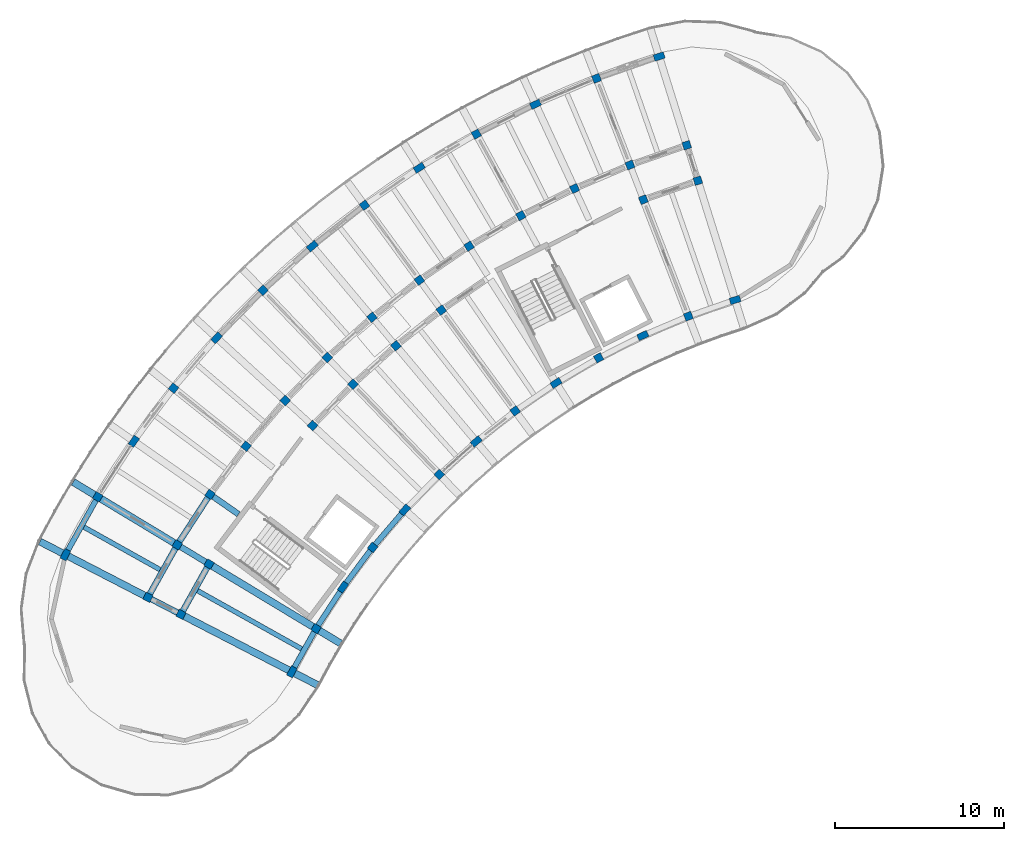
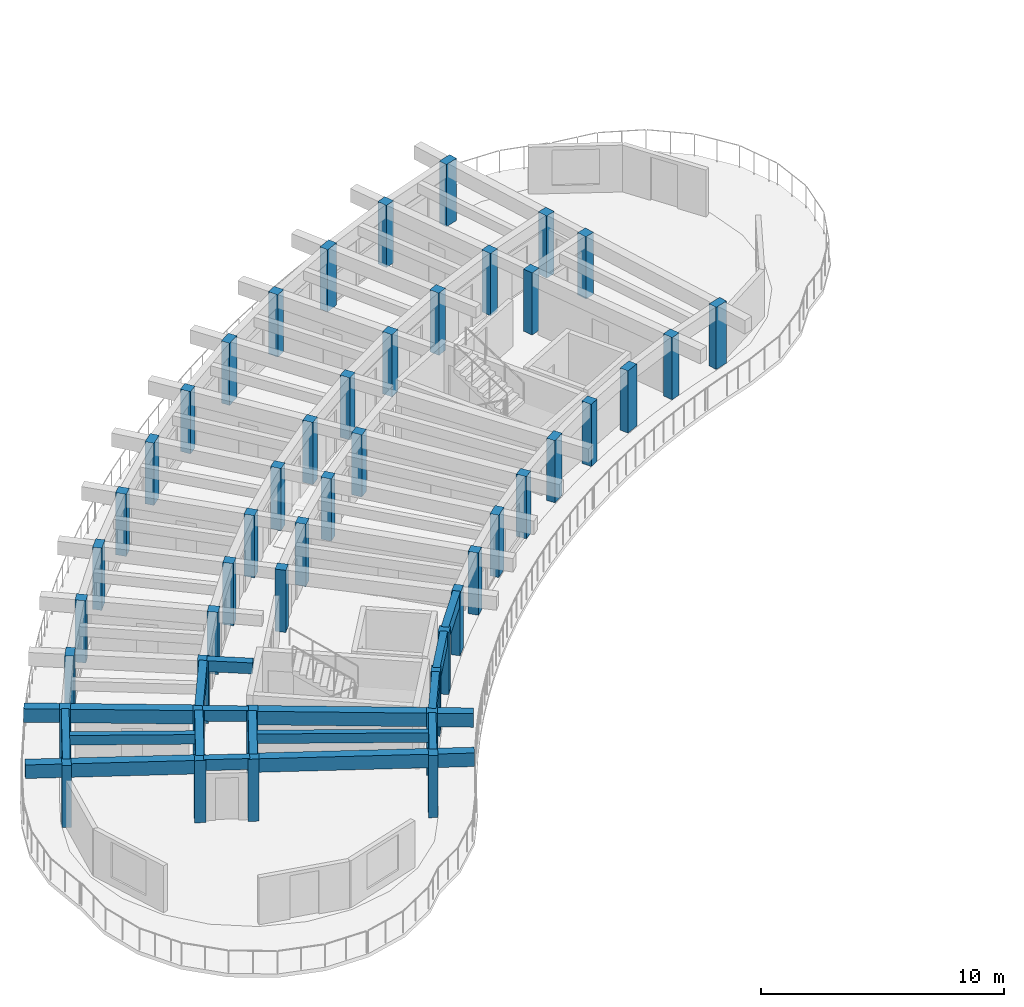
# One storey, part 1 of 19: 47 columns, 17 beams.
"""IFC4 building model written with IfcOpenShell, lengths in metres."""

from ifc_helpers import new_model, si_unit, direction, frame, origin, origin_2d, place, context, subcontext, project, spatial, rectangle, extrude, material, material_profile, profile_set, type_object, element, save


model = new_model("IFC4")

# Units and contexts
model_context = context("Model", 3, precision=1e-05, world=origin(), true_north=direction((0.0, 1.0)))
body_context = subcontext(model_context, "Body", "Model", "MODEL_VIEW")
ifc_project = project(units=[si_unit("LENGTHUNIT", "METRE"), si_unit("AREAUNIT", "SQUARE_METRE"), si_unit("VOLUMEUNIT", "CUBIC_METRE"), si_unit("PLANEANGLEUNIT", "RADIAN"), si_unit("MASSUNIT", "GRAM", prefix="KILO")], contexts=[model_context])

# Site, building, storey
site_placement = place(None, origin())
site = spatial("IfcSite", under=ifc_project, at=site_placement, CompositionType="ELEMENT")
building_placement = place(site_placement, origin())
building = spatial("IfcBuilding", under=site, at=building_placement, Name="Tanwirah Colonnade Gardens", CompositionType="ELEMENT")
storey_placement = place(building_placement, frame((0.0, 0.0, 45.800048828125)))
storey = spatial("IfcBuildingStorey", under=building, at=storey_placement, Name="L13", CompositionType="ELEMENT", Elevation=45.800048828125)

# Columns
ifc_material_1 = material(Name="Precast concrete C40/50", Category="concrete")
ifc_material_profile_1 = material_profile(ifc_material_1, rectangle(XDim=0.4599609375, YDim=0.4599609375, at=origin_2d()), Name="PC-COL 460x460")
ifc_profile_set_1 = profile_set([ifc_material_profile_1], Name="Precast concrete C40/50")
column_type_1 = type_object("IfcColumnType", Name="C-PC400", PredefinedType="COLUMN", material=ifc_profile_set_1)
for number, where, z_axis, x_axis, name in (
    (1, (49.55224609375, 109.6953125, 0.0), (0.0, 0.0, 1.0), (-0.297930292146, 0.954587628781, 0.0), "Block A L13 Column 3-R1"),
    (2, (48.89697265625, 111.79541015625, 0.0), (0.0, 0.0, 1.0), (-0.297930292146, 0.954587628781, 0.0), "Block A L13 Column 3-R2"),
    (3, (48.989990234375, 101.666748046875, 0.0), (0.0, 0.0, 1.0), (-0.360177739278, 0.932883699144, 0.0), "Block A L13 Column 4-R0"),
    (4, (46.32470703125, 108.570068359375, 0.0), (0.0, 0.0, 1.0), (-0.360177739278, 0.932883699144, 0.0), "Block A L13 Column 4-R1"),
    (5, (45.532470703125, 110.622314453125, 0.0), (0.0, 0.0, 1.0), (-0.360177739278, 0.932883699144, 0.0), "Block A L13 Column 4-R2"),
    (6, (43.551513671875, 115.753173828125, 0.0), (0.0, 0.0, 1.0), (-0.360177739278, 0.932883699144, 0.0), "Block A L13 Column 4-R3"),
    (7, (42.25244140625, 109.230224609375, 0.0), (0.0, 0.0, 1.0), (-0.420859924104, 0.907125638643, 0.0), "Block A L13 Column 5-R2"),
    (8, (43.6767578125, 99.20166015625, 0.0), (0.0, 0.0, 1.0), (-0.479713133669, 0.877425386791, 0.0), "Block A L13 Column 6-R0"),
    (9, (39.071533203125, 107.624755859375, 0.0), (0.0, 0.0, 1.0), (-0.479713133669, 0.877425386791, 0.0), "Block A L13 Column 6-R2"),
    (10, (36.43310546875, 112.45068359375, 0.0), (0.0, 0.0, 1.0), (-0.479713133669, 0.877425386791, 0.0), "Block A L13 Column 6-R3"),
    (11, (36.003173828125, 105.8134765625, 0.0), (0.0, 0.0, 1.0), (-0.536481603385, 0.843912015099, 0.0), "Block A L13 Column 7-R2"),
    (12, (38.733642578125, 96.05908203125, 0.0), (0.0, 0.0, 1.0), (-0.590918628541, 0.806731166153, 0.0), "Block A L13 Column 8-R0"),
    (13, (34.36083984375, 102.029052734375, 0.0), (0.0, 0.0, 1.0), (-0.590918628541, 0.806731166153, 0.0), "Block A L13 Column 8-R1"),
    (14, (33.060791015625, 103.8037109375, 0.0), (0.0, 0.0, 1.0), (-0.590918628541, 0.806731166153, 0.0), "Block A L13 Column 8-R2"),
    (15, (29.810791015625, 108.24072265625, 0.0), (0.0, 0.0, 1.0), (-0.590918628541, 0.806731166153, 0.0), "Block A L13 Column 8-R3"),
    (16, (31.67138671875, 99.91943359375, 0.0), (0.0, 0.0, 1.0), (-0.642787636427, 0.766044420681, 0.0), "Block A L13 Column 9-R1"),
    (17, (30.25732421875, 101.604736328125, 0.0), (0.0, 0.0, 1.0), (-0.642787636427, 0.766044420681, 0.0), "Block A L13 Column 9-R2"),
    (18, (34.24658203125, 92.294189453125, 0.0), (0.0, 0.0, 1.0), (-0.691863214436, 0.722028595355, 0.0), "Block A L13 Column 10-R0"),
    (19, (29.126953125, 97.63720703125, 0.0), (0.0, 0.0, 1.0), (-0.691863214436, 0.722028595355, 0.0), "Block A L13 Column 10-R1"),
    (20, (27.604736328125, 99.2255859375, 0.0), (0.0, 0.0, 1.0), (-0.691863214436, 0.722028595355, 0.0), "Block A L13 Column 10-R2"),
    (21, (23.799560546875, 103.19677734375, 0.0), (0.0, 0.0, 1.0), (-0.691863214436, 0.722028595355, 0.0), "Block A L13 Column 10-R3"),
    (22, (26.73828125, 95.1923828125, 0.0), (0.0, 0.0, 1.0), (-0.737932089665, 0.674874974378, 0.0), "Block A L13 Column 11-R1"),
    (23, (25.11474609375, 96.677001953125, 0.0), (0.0, 0.0, 1.0), (-0.737932089665, 0.674874974378, 0.0), "Block A L13 Column 11-R2"),
    (24, (30.293701171875, 87.971923828125, 0.0), (0.0, 0.0, 1.0), (-0.780794055756, 0.624788478204, 0.0), "Block A L13 Column 12-R0"),
    (25, (22.798095703125, 93.9697265625, 0.0), (0.0, 0.0, 1.0), (-0.780794055756, 0.624788478204, 0.0), "Block A L13 Column 12-R2"),
    (26, (18.503662109375, 97.40625, 0.0), (0.0, 0.0, 1.0), (-0.780794055756, 0.624788478204, 0.0), "Block A L13 Column 12-R3"),
    (27, (20.664794921875, 91.115966796875, 0.0), (0.0, 0.0, 1.0), (-0.82026284295, 0.57198677299, 0.0), "Block A L13 Column 13-R2"),
    (28, (26.943359375, 83.167236328125, 0.0), (0.0, 0.0, 1.0), (-0.856166927587, 0.516699324663, 0.0), "Block A L13 Column 14-R0"),
    (29, (20.607666015625, 86.990966796875, 0.0), (0.0, 0.0, 1.0), (-0.856166927587, 0.516699324663, 0.0), "Block A L13 Column 14-R1"),
    (30, (18.72412109375, 88.127685546875, 0.0), (0.0, 0.0, 1.0), (-0.856166927587, 0.516699324663, 0.0), "Block A L13 Column 14-R2"),
    (31, (14.015380859375, 90.969482421875, 0.0), (0.0, 0.0, 1.0), (-0.856166927587, 0.516699324663, 0.0), "Block A L13 Column 14-R3"),
    (32, (18.93896484375, 84.0078125, 0.0), (0.0, 0.0, 1.0), (-0.888350277506, 0.459166401705, 0.0), "Block A L13 Column 15-R1"),
    (33, (16.984619140625, 85.017822265625, 0.0), (0.0, 0.0, 1.0), (-0.888350277506, 0.459166401705, 0.0), "Block A L13 Column 15-R2"),
):
    element("IfcColumn", number, at=place(storey_placement, frame(where, z_axis=z_axis, x_axis=x_axis)), inside=storey, type_object=column_type_1, Name=name, PredefinedType="COLUMN", context=body_context, shape_type="SweptSolid", body=[
        extrude(rectangle(XDim=0.4599609375, YDim=0.4599609375, at=origin_2d()), origin(), (0.0, 0.0, 1.0), 3.119873046875),
    ])
ifc_material_profile_2 = material_profile(ifc_material_1, rectangle(XDim=0.389892578125, YDim=0.6298828125, at=origin_2d()), Name="PC-PIL 390x630")
ifc_profile_set_2 = profile_set([ifc_material_profile_2], Name="Precast concrete C40/50")
column_type_2 = type_object("IfcColumnType", Name="PIL-360", PredefinedType="PILASTER", material=ifc_profile_set_2)
for number, where, z_axis, x_axis, name in (
    (34, (51.757080078125, 102.63134765625, 0.0), (0.0, 0.0, 1.0), (-0.297930292146, 0.954587628781, 0.0), "Block A L13 Column 3-R0"),
    (35, (47.25830078125, 117.045654296875, 0.0), (0.0, 0.0, 1.0), (-0.297930292146, 0.954587628781, 0.0), "Block A L13 Column 3-R3"),
    (36, (46.292724609375, 100.521728515625, 0.0), (0.0, 0.0, 1.0), (-0.420859924104, 0.907125638643, 0.0), "Block A L13 Column 5-R0"),
    (37, (39.937744140625, 114.21923828125, 0.0), (0.0, 0.0, 1.0), (-0.420859924104, 0.907125638643, 0.0), "Block A L13 Column 5-R3"),
    (38, (41.1533203125, 97.7119140625, 0.0), (0.0, 0.0, 1.0), (-0.536481603385, 0.843912015099, 0.0), "Block A L13 Column 7-R0"),
    (39, (33.052490234375, 110.455078125, 0.0), (0.0, 0.0, 1.0), (-0.536481603385, 0.843912015099, 0.0), "Block A L13 Column 7-R3"),
    (40, (36.427978515625, 94.250732421875, 0.0), (0.0, 0.0, 1.0), (-0.642787636427, 0.766044420681, 0.0), "Block A L13 Column 9-R0"),
    (41, (26.721923828125, 105.81787109375, 0.0), (0.0, 0.0, 1.0), (-0.642787636427, 0.766044420681, 0.0), "Block A L13 Column 9-R3"),
    (42, (32.198974609375, 90.1982421875, 0.0), (0.0, 0.0, 1.0), (-0.737932089665, 0.674874974378, 0.0), "Block A L13 Column 11-R0"),
    (43, (21.05615234375, 100.388916015625, 0.0), (0.0, 0.0, 1.0), (-0.737932089665, 0.674874974378, 0.0), "Block A L13 Column 11-R3"),
    (44, (28.539306640625, 85.624755859375, 0.0), (0.0, 0.0, 1.0), (-0.82026284295, 0.57198677299, 0.0), "Block A L13 Column 13-R0"),
    (45, (16.1533203125, 94.26171875, 0.0), (0.0, 0.0, 1.0), (-0.82026284295, 0.57198677299, 0.0), "Block A L13 Column 13-R3"),
    (46, (25.512939453125, 80.60986328125, 0.0), (0.0, 0.0, 1.0), (-0.888350277506, 0.459166401705, 0.0), "Block A L13 Column 15-R0"),
    (47, (12.0986328125, 87.54345703125, 0.0), (0.0, 0.0, 1.0), (-0.888350277506, 0.459166401705, 0.0), "Block A L13 Column 15-R3"),
):
    element("IfcColumn", number, at=place(storey_placement, frame(where, z_axis=z_axis, x_axis=x_axis)), inside=storey, type_object=column_type_2, Name=name, PredefinedType="PILASTER", context=body_context, shape_type="SweptSolid", body=[
        extrude(rectangle(XDim=0.389892578125, YDim=0.6298828125, at=origin_2d()), origin(), (0.0, 0.0, 1.0), 3.119873046875),
    ])

# Beams
ifc_material_profile_3 = material_profile(ifc_material_1, rectangle(XDim=0.35009765625, YDim=0.550048828125, at=origin_2d()), Name="PC-BM 350x550")
ifc_profile_set_3 = profile_set([ifc_material_profile_3], Name="Precast concrete C40/50")
beam_type_1 = type_object("IfcBeamType", Name="BM-PC350A", PredefinedType="BEAM", material=ifc_profile_set_3)
for number, where, z_axis, x_axis, name in (
    (48, (22.346435546875, 89.943359375, 2.844970703125), (-0.820305001782, 0.571926309983, 0.0), (-0.571926309983, -0.820305001782, 0.0), "Block A L13 Corridor Tie Beam 13"),
    (49, (20.479248046875, 87.068359375, 2.844970703125), (-0.856174920318, 0.516686080534, 0.0), (-0.516686080534, -0.856174920318, 0.0), "Block A L13 Corridor Tie Beam 14"),
    (50, (18.8056640625, 84.07666015625, 2.844970703125), (-0.888358643941, 0.459150214784, 0.0), (-0.459150214784, -0.888358643941, 0.0), "Block A L13 Corridor Tie Beam 15"),
):
    element("IfcBeam", number, at=place(storey_placement, frame(where, z_axis=z_axis, x_axis=x_axis)), inside=storey, type_object=beam_type_1, Name=name, PredefinedType="BEAM", context=body_context, shape_type="SweptSolid", body=[
        extrude(rectangle(XDim=0.35009765625, YDim=0.550048828125, at=origin_2d()), origin(), (0.0, 0.0, 1.0), 1.89990234375),
    ])
ifc_material_profile_4 = material_profile(ifc_material_1, rectangle(XDim=0.35009765625, YDim=0.60009765625, at=origin_2d()), Name="PC-BM 350x600")
ifc_profile_set_4 = profile_set([ifc_material_profile_4], Name="Precast concrete C40/50")
beam_type_2 = type_object("IfcBeamType", Name="BM-PC350B", PredefinedType="BEAM", material=ifc_profile_set_4)
beam_1_placement = place(storey_placement, frame((20.5830078125, 90.989990234375, 2.820068359375), z_axis=(-0.544627998385, -0.838677735114, 0.0), x_axis=(0.838677735114, -0.544627998385, 0.0)))
element("IfcBeam", 51, at=beam_1_placement, inside=storey, type_object=beam_type_2, Name="Block A L13 Circumferential Beam 13-R2", PredefinedType="BEAM", context=body_context, shape_type="SweptSolid", body=[
    extrude(rectangle(XDim=0.35009765625, YDim=0.60009765625, at=origin_2d()), origin(), (0.0, 0.0, 1.0), 3.262939453125),
])
beam_2_placement = place(storey_placement, frame((20.534423828125, 86.85986328125, 2.820068359375), z_axis=(-0.488200372352, -0.872731571811, 0.0), x_axis=(0.872731571811, -0.488200372352, 0.0)))
element("IfcBeam", 52, at=beam_2_placement, inside=storey, type_object=beam_type_2, Name="Block A L13 Circumferential Beam 14-R1", PredefinedType="BEAM", context=body_context, shape_type="SweptSolid", body=[
    extrude(rectangle(XDim=0.35009765625, YDim=0.60009765625, at=origin_2d()), origin(), (0.0, 0.0, 1.0), 3.117919921875),
])
beam_3_placement = place(storey_placement, frame((18.65087890625, 87.99658203125, 2.820068359375), z_axis=(-0.488213717102, -0.87272410671, 0.0), x_axis=(0.87272410671, -0.488213717102, 0.0)))
element("IfcBeam", 53, at=beam_3_placement, inside=storey, type_object=beam_type_2, Name="Block A L13 Circumferential Beam 14-R2", PredefinedType="BEAM", context=body_context, shape_type="SweptSolid", body=[
    extrude(rectangle(XDim=0.35009765625, YDim=0.60009765625, at=origin_2d()), origin(), (0.0, 0.0, 1.0), 3.262939453125),
])
ifc_material_2 = material(Name="Precast concrete C45/55", Category="concrete")
ifc_material_profile_5 = material_profile(ifc_material_2, rectangle(XDim=0.419921875, YDim=0.679931640625, at=origin_2d()), Name="PC-BM 420x680")
ifc_profile_set_5 = profile_set([ifc_material_profile_5], Name="Precast concrete C45/55")
beam_type_3 = type_object("IfcBeamType", Name="BM-PC420", PredefinedType="BEAM", material=ifc_profile_set_5)
beam_4_placement = place(storey_placement, frame((20.736083984375, 86.913330078125, 2.780029296875), z_axis=(0.856168728297, -0.516696340887, 0.0), x_axis=(0.516696340887, 0.856168728297, 0.0)))
element("IfcBeam", 54, at=beam_4_placement, inside=storey, type_object=beam_type_3, Name="Block A L13 Inner Radial Precast Girder 14", PredefinedType="BEAM", context=body_context, shape_type="SweptSolid", body=[
    extrude(rectangle(XDim=0.419921875, YDim=0.679931640625, at=origin_2d()), origin(), (0.0, 0.0, 1.0), 8.9501953125),
])
beam_5_placement = place(storey_placement, frame((18.595703125, 88.205078125, 2.780029296875), z_axis=(-0.856157813984, 0.516714425533, 0.0), x_axis=(-0.516714425533, -0.856157813984, 0.0)))
element("IfcBeam", 55, at=beam_5_placement, inside=storey, type_object=beam_type_3, Name="Block A L13 Outer Radial Precast Girder 14", PredefinedType="BEAM", context=body_context, shape_type="SweptSolid", body=[
    extrude(rectangle(XDim=0.419921875, YDim=0.679931640625, at=origin_2d()), origin(), (0.0, 0.0, 1.0), 7.050048828125),
])
beam_6_placement = place(storey_placement, frame((19.072265625, 83.93896484375, 2.780029296875), z_axis=(0.888345427876, -0.459175784175, 0.0), x_axis=(0.459175784175, 0.888345427876, 0.0)))
element("IfcBeam", 56, at=beam_6_placement, inside=storey, type_object=beam_type_3, Name="Block A L13 Inner Radial Precast Girder 15", PredefinedType="BEAM", context=body_context, shape_type="SweptSolid", body=[
    extrude(rectangle(XDim=0.419921875, YDim=0.679931640625, at=origin_2d()), origin(), (0.0, 0.0, 1.0), 8.949951171875),
])
beam_7_placement = place(storey_placement, frame((16.851318359375, 85.0869140625, 2.780029296875), z_axis=(-0.888348690665, 0.459169471758, 0.0), x_axis=(-0.459169471758, -0.888348690665, 0.0)))
element("IfcBeam", 57, at=beam_7_placement, inside=storey, type_object=beam_type_3, Name="Block A L13 Outer Radial Precast Girder 15", PredefinedType="BEAM", context=body_context, shape_type="SweptSolid", body=[
    extrude(rectangle(XDim=0.419921875, YDim=0.679931640625, at=origin_2d()), origin(), (0.0, 0.0, 1.0), 7.0498046875),
])
ifc_material_profile_6 = material_profile(ifc_material_1, rectangle(XDim=0.280029296875, YDim=0.47998046875, at=origin_2d()), Name="PC-JST 280x480")
ifc_profile_set_6 = profile_set([ifc_material_profile_6], Name="Precast concrete C40/50")
beam_type_4 = type_object("IfcBeamType", Name="JST-PC280", PredefinedType="JOIST", material=ifc_profile_set_6)
beam_8_placement = place(storey_placement, frame((17.72412109375, 86.645751953125, 2.8798828125), z_axis=(-0.872737031138, 0.488190612855, 0.0), x_axis=(-0.488190612855, -0.872737031138, 0.0)))
element("IfcBeam", 58, at=beam_8_placement, inside=storey, type_object=beam_type_4, Name="Block A L13 Precast Floor Joist 14", PredefinedType="JOIST", context=body_context, shape_type="SweptSolid", body=[
    extrude(rectangle(XDim=0.280029296875, YDim=0.47998046875, at=origin_2d()), origin(), (0.0, 0.0, 1.0), 5.260009765625),
])
beam_9_placement = place(storey_placement, frame((26.102294921875, 81.958984375, 2.8798828125), z_axis=(-0.872726875563, 0.488208767506, 0.0), x_axis=(-0.488208767506, -0.872726875563, 0.0)))
element("IfcBeam", 59, at=beam_9_placement, inside=storey, type_object=beam_type_4, Name="Block A L13 Inner Precast Floor Joist 14", PredefinedType="JOIST", context=body_context, shape_type="SweptSolid", body=[
    extrude(rectangle(XDim=0.280029296875, YDim=0.47998046875, at=origin_2d()), origin(), (0.0, 0.0, 1.0), 7.16015625),
])
ifc_material_profile_7 = material_profile(ifc_material_2, rectangle(XDim=0.320068359375, YDim=0.679931640625, at=origin_2d()), Name="PC-SP 320x680")
ifc_profile_set_7 = profile_set([ifc_material_profile_7], Name="Precast concrete C45/55")
beam_type_5 = type_object("IfcBeamType", Name="SP-PC320", PredefinedType="SPANDREL", material=ifc_profile_set_7)
for number, where, z_axis, x_axis, name in (
    (60, (32.101318359375, 90.084228515625, 2.780029296875), (-0.650172023628, -0.759787035749, 0.0), (0.759787035749, -0.650172023628, 0.0), "Block A L13 Circumferential Beam 11-R0"),
    (61, (30.203857421875, 87.851806640625, 2.780029296875), (-0.598662613551, -0.80100129534, 0.0), (0.80100129534, -0.598662613551, 0.0), "Block A L13 Circumferential Beam 12-R0"),
    (62, (28.45751953125, 85.4990234375, 2.780029296875), (-0.544570677829, -0.838714955661, 0.0), (0.838714955661, -0.544570677829, 0.0), "Block A L13 Circumferential Beam 13-R0"),
):
    element("IfcBeam", number, at=place(storey_placement, frame(where, z_axis=z_axis, x_axis=x_axis)), inside=storey, type_object=beam_type_5, Name=name, PredefinedType="SPANDREL", context=body_context, shape_type="SweptSolid", body=[
        extrude(rectangle(XDim=0.320068359375, YDim=0.679931640625, at=origin_2d()), origin(), (0.0, 0.0, 1.0), 2.63037109375),
    ])
beam_10_placement = place(storey_placement, frame((26.8701171875, 83.036376953125, 2.780029296875), z_axis=(-0.488170837957, -0.872748092503, 0.0), x_axis=(0.872748092503, -0.488170837957, 0.0)))
element("IfcBeam", 63, at=beam_10_placement, inside=storey, type_object=beam_type_5, Name="Block A L13 Circumferential Beam 14-R0", PredefinedType="SPANDREL", context=body_context, shape_type="SweptSolid", body=[
    extrude(rectangle(XDim=0.320068359375, YDim=0.679931640625, at=origin_2d()), origin(), (0.0, 0.0, 1.0), 2.630126953125),
])
beam_11_placement = place(storey_placement, frame((13.942138671875, 90.838623046875, 2.780029296875), z_axis=(-0.488236312193, -0.872711466326, 0.0), x_axis=(0.872711466326, -0.488236312193, 0.0)))
element("IfcBeam", 64, at=beam_11_placement, inside=storey, type_object=beam_type_5, Name="Block A L13 Circumferential Beam 14-R3", PredefinedType="SPANDREL", context=body_context, shape_type="SweptSolid", body=[
    extrude(rectangle(XDim=0.320068359375, YDim=0.679931640625, at=origin_2d()), origin(), (0.0, 0.0, 1.0), 3.625732421875),
])

save(model, "model.ifc")
